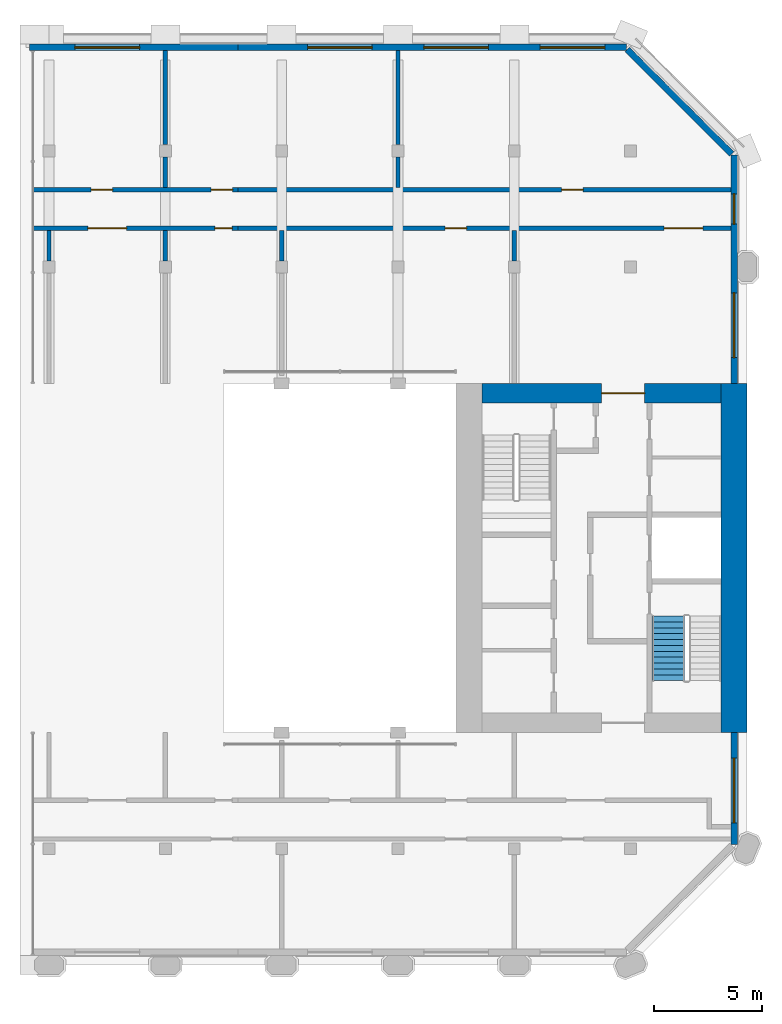
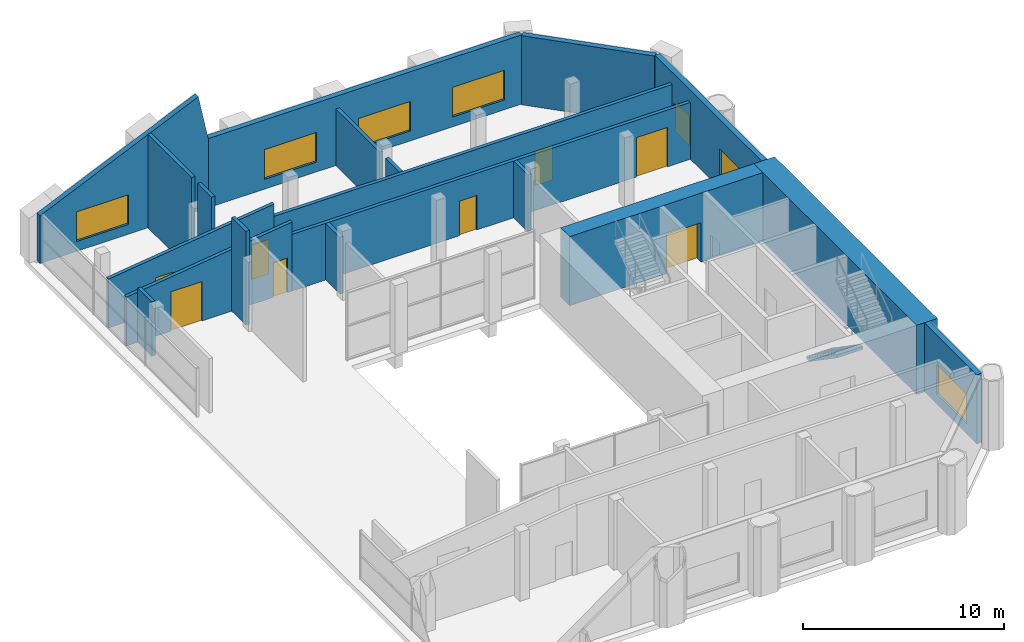
# One storey, part 6 of 9: 19 walls, 8 doors, 7 windows, 1 stair flight, 15 openings, 1 element without a shape of its own.
"""IFC4 building model written with IfcOpenShell, lengths in metres."""

from ifc_helpers import new_model, si_unit, direction, frame, frame_2d, origin, place, context, subcontext, project, spatial, polyline, rectangle, outline, extrude, material, layer, layer_set, type_object, element, fill, aggregate, save


model = new_model("IFC4")

# Units and contexts
model_context = context("Model", 3, precision=1e-05, world=origin(), true_north=direction((0.0, 1.0)))
body_context = subcontext(model_context, "Body", "Model", "MODEL_VIEW")
ifc_project = project(units=[si_unit("LENGTHUNIT", "METRE"), si_unit("AREAUNIT", "SQUARE_METRE"), si_unit("VOLUMEUNIT", "CUBIC_METRE"), si_unit("PLANEANGLEUNIT", "RADIAN"), si_unit("MASSUNIT", "GRAM", prefix="KILO")], contexts=[model_context])

# Site, building, storey
site_placement = place(None, origin())
site = spatial("IfcSite", under=ifc_project, at=site_placement, CompositionType="ELEMENT")
building_placement = place(site_placement, origin())
building = spatial("IfcBuilding", under=site, at=building_placement, Name="Tabaq Tower and Sports Hall", CompositionType="ELEMENT")
storey_placement = place(building_placement, frame((0.0, 0.0, 326.199951171875)))
storey = spatial("IfcBuildingStorey", under=building, at=storey_placement, Name="L81", CompositionType="ELEMENT", Elevation=326.199951171875)

# Wall
ifc_material_1 = material(Name="Concrete C40/50", Category="concrete")
ifc_layer_1 = layer(ifc_material_1, 1.199951171875)
ifc_layer_set_1 = layer_set([ifc_layer_1], Name="Core wall 1200 Concrete C40/50")
wall_type_1 = type_object("IfcWallType", Name="Core wall 1200 Concrete C40/50", PredefinedType="SOLIDWALL", material=ifc_layer_set_1)
wall_1_placement = place(storey_placement, frame((42.60009765625, 32.39990234375, 0.0), z_axis=(0.0, 0.0, 1.0), x_axis=(0.0, -1.0, 0.0)))
element("IfcWall", 1, at=wall_1_placement, inside=storey, type_object=wall_type_1, Name="Core wall E L81", PredefinedType="SOLIDWALL", context=body_context, shape_type="SweptSolid", body=[
    extrude(rectangle(XDim=16.199951171875, YDim=1.199951171875, at=frame_2d((8.10009765625, 0.0))), origin(), (0.0, 0.0, 1.0), 4.199951171875),
])

# Wall, opening, door
ifc_material_2 = material(Name="Concrete C40/50", Category="concrete")
ifc_layer_2 = layer(ifc_material_2, 0.89990234375)
ifc_layer_set_2 = layer_set([ifc_layer_2], Name="Core wall 900 Concrete C40/50")
wall_type_2 = type_object("IfcWallType", Name="Core wall 900 Concrete C40/50", PredefinedType="SOLIDWALL", material=ifc_layer_set_2)
wall_2_placement = place(storey_placement, frame((30.89990234375, 31.949951171875, 0.0), z_axis=(0.0, 0.0, 1.0), x_axis=(1.0, 0.0, 0.0)))
wall_2 = element("IfcWall", 2, at=wall_2_placement, inside=storey, type_object=wall_type_2, Name="Core wall E L81", PredefinedType="SOLIDWALL", context=body_context, shape_type="SweptSolid", body=[
    extrude(rectangle(XDim=11.10009765625, YDim=0.89990234375, at=frame_2d((5.550048828125, 0.0))), origin(), (0.0, 0.0, 1.0), 4.199951171875),
])
opening_1_placement = place(wall_2_placement, frame((5.550048828125, 0.0, 0.0)))
opening_1 = element("IfcOpeningElement", 3, at=opening_1_placement, cuts=wall_2, Name="Opening PD-EL81-02", PredefinedType="OPENING", context=body_context, shape_type="SweptSolid", body=[
    extrude(rectangle(XDim=2.0, YDim=2.39990234375, at=frame_2d((1.0, 1.199951171875))), frame((0.0, 0.449951171875, 0.0), z_axis=(0.0, -1.0, 0.0), x_axis=(1.0, 0.0, 0.0)), (0.0, 0.0, 1.0), 0.89990234375),
])
ifc_material_3 = material(Name="Steel fire door", Category="steel")
door_type_1 = type_object("IfcDoorType", Name="Core entrance door 2000", OperationType="DOUBLE_DOOR_SINGLE_SWING", PredefinedType="DOOR", material=ifc_material_3)
door_1_placement = place(opening_1_placement, origin())
door_1 = element("IfcDoor", 4, at=door_1_placement, inside=storey, type_object=door_type_1, Name="Core entrance north E L81", OperationType="DOUBLE_DOOR_SINGLE_SWING", OverallHeight=2.39990234375, OverallWidth=2.0, PredefinedType="DOOR", context=body_context, shape_type="SweptSolid", body=[
    extrude(rectangle(XDim=2.0, YDim=2.39990234375, at=frame_2d((1.0, 1.199951171875))), frame((0.0, 0.02490234375, 0.0), z_axis=(0.0, -1.0, 0.0), x_axis=(1.0, 0.0, 0.0)), (0.0, 0.0, 1.0), 0.050048828125),
])
fill(opening_1, door_1)

# Walls
ifc_material_4 = material(Name="Blockwork", Category="masonry")
ifc_layer_3 = layer(ifc_material_4, 0.199951171875)
ifc_layer_set_3 = layer_set([ifc_layer_3], Name="Fire compartment wall 200 Blockwork")
wall_type_3 = type_object("IfcWallType", Name="Fire compartment wall 200 Blockwork", PredefinedType="PARTITIONING", material=ifc_layer_set_3)
wall_3_placement = place(storey_placement, frame((27.0, 47.84912109375, 0.0), z_axis=(0.0, 0.0, 1.0), x_axis=(0.0, -1.0, 0.0)))
element("IfcWall", 5, at=wall_3_placement, inside=storey, type_object=wall_type_3, Name="Compartment wall L81", PredefinedType="PARTITIONING", context=body_context, shape_type="SweptSolid", body=[
    extrude(rectangle(XDim=4.35400390625, YDim=0.199951171875, at=frame_2d((2.177001953125, 0.0))), origin(), (0.0, 0.0, 1.0), 3.449951171875),
])
wall_4_placement = place(storey_placement, frame((27.0, 42.905029296875, 0.0), z_axis=(0.0, 0.0, 1.0), x_axis=(0.0, -1.0, 0.0)))
element("IfcWall", 6, at=wall_4_placement, inside=storey, type_object=wall_type_3, Name="Compartment wall L81", PredefinedType="PARTITIONING", context=body_context, shape_type="SweptSolid", body=[
    extrude(rectangle(XDim=1.405029296875, YDim=0.199951171875, at=frame_2d((0.70263671875, 0.0))), origin(), (0.0, 0.0, 1.0), 3.449951171875),
])
wall_5_placement = place(storey_placement, frame((16.199951171875, 47.84912109375, 0.0), z_axis=(0.0, 0.0, 1.0), x_axis=(0.0, -1.0, 0.0)))
element("IfcWall", 7, at=wall_5_placement, inside=storey, type_object=wall_type_3, Name="Compartment wall L81", PredefinedType="PARTITIONING", context=body_context, shape_type="SweptSolid", body=[
    extrude(rectangle(XDim=4.35400390625, YDim=0.199951171875, at=frame_2d((2.177001953125, 0.0))), origin(), (0.0, 0.0, 1.0), 5.699951171875),
])
wall_6_placement = place(storey_placement, frame((16.199951171875, 42.905029296875, 0.0), z_axis=(0.0, 0.0, 1.0), x_axis=(0.0, -1.0, 0.0)))
element("IfcWall", 8, at=wall_6_placement, inside=storey, type_object=wall_type_3, Name="Compartment wall L81", PredefinedType="PARTITIONING", context=body_context, shape_type="SweptSolid", body=[
    extrude(rectangle(XDim=1.405029296875, YDim=0.199951171875, at=frame_2d((0.70263671875, 0.0))), origin(), (0.0, 0.0, 1.0), 5.699951171875),
])

# Wall, openings, doors
wall_7_placement = place(storey_placement, frame((10.050048828125, 41.39990234375, 0.0), z_axis=(0.0, 0.0, 1.0), x_axis=(1.0, 0.0, 0.0)))
wall_7 = element("IfcWall", 9, at=wall_7_placement, inside=storey, type_object=wall_type_3, Name="Compartment wall L81", PredefinedType="PARTITIONING", context=body_context, shape_type="SweptSolid", body=[
    extrude(outline(polyline([(0.0, 0.0), (9.52490234375, 0.0), (9.52490234375, 4.199951171875), (0.0, 2.966796875), (0.0, 0.0)])), frame((0.0, 0.10009765625, 0.0), z_axis=(0.0, -1.0, 0.0), x_axis=(1.0, 0.0, 0.0)), (0.0, 0.0, 1.0), 0.199951171875),
])
opening_2_placement = place(wall_7_placement, frame((8.27490234375, 0.0, 0.0)))
opening_2 = element("IfcOpeningElement", 10, at=opening_2_placement, cuts=wall_7, Name="Opening L81-002", PredefinedType="OPENING", context=body_context, shape_type="SweptSolid", body=[
    extrude(rectangle(XDim=1.0, YDim=2.10009765625, at=frame_2d((0.5, 1.050048828125))), frame((0.0, 0.10009765625, 0.0), z_axis=(0.0, -1.0, 0.0), x_axis=(1.0, 0.0, 0.0)), (0.0, 0.0, 1.0), 0.199951171875),
])
opening_3_placement = place(wall_7_placement, frame((2.7041015625, 0.0, 0.0)))
opening_3 = element("IfcOpeningElement", 11, at=opening_3_placement, cuts=wall_7, Name="Opening L81-003", PredefinedType="OPENING", context=body_context, shape_type="SweptSolid", body=[
    extrude(rectangle(XDim=1.0, YDim=2.10009765625, at=frame_2d((0.5, 1.050048828125))), frame((0.0, 0.10009765625, 0.0), z_axis=(0.0, -1.0, 0.0), x_axis=(1.0, 0.0, 0.0)), (0.0, 0.0, 1.0), 0.199951171875),
])
ifc_material_5 = material(Name="Steel fire door", Category="steel")
door_type_2 = type_object("IfcDoorType", Name="Plant room door 1000 right hand", OperationType="SINGLE_SWING_RIGHT", PredefinedType="DOOR", material=ifc_material_5)
door_2_placement = place(opening_2_placement, origin())
door_2 = element("IfcDoor", 12, at=door_2_placement, inside=storey, type_object=door_type_2, Name="Plant room door L81-002", OperationType="SINGLE_SWING_RIGHT", OverallHeight=2.10009765625, OverallWidth=1.0, PredefinedType="DOOR", context=body_context, shape_type="SweptSolid", body=[
    extrude(rectangle(XDim=1.0, YDim=2.10009765625, at=frame_2d((0.5, 1.050048828125))), frame((0.0, 0.02490234375, 0.0), z_axis=(0.0, -1.0, 0.0), x_axis=(1.0, 0.0, 0.0)), (0.0, 0.0, 1.0), 0.050048828125),
])
fill(opening_2, door_2)
door_3_placement = place(opening_3_placement, origin())
door_3 = element("IfcDoor", 13, at=door_3_placement, inside=storey, type_object=door_type_2, Name="Plant room door L81-003", OperationType="SINGLE_SWING_RIGHT", OverallHeight=2.10009765625, OverallWidth=1.0, PredefinedType="DOOR", context=body_context, shape_type="SweptSolid", body=[
    extrude(rectangle(XDim=1.0, YDim=2.10009765625, at=frame_2d((0.5, 1.050048828125))), frame((0.0, 0.02490234375, 0.0), z_axis=(0.0, -1.0, 0.0), x_axis=(1.0, 0.0, 0.0)), (0.0, 0.0, 1.0), 0.050048828125),
])
fill(opening_3, door_3)

# Wall, opening, door
wall_8_placement = place(storey_placement, frame((19.574951171875, 41.39990234375, 0.0), z_axis=(0.0, 0.0, 1.0), x_axis=(1.0, 0.0, 0.0)))
wall_8 = element("IfcWall", 14, at=wall_8_placement, inside=storey, type_object=wall_type_3, Name="Compartment wall L81", PredefinedType="PARTITIONING", context=body_context, shape_type="SweptSolid", body=[
    extrude(rectangle(XDim=22.8740234375, YDim=0.199951171875, at=frame_2d((11.43701171875, 0.0))), origin(), (0.0, 0.0, 1.0), 3.449951171875),
])
opening_4_placement = place(wall_8_placement, frame((15.02490234375, 0.0, 0.0)))
opening_4 = element("IfcOpeningElement", 15, at=opening_4_placement, cuts=wall_8, Name="Opening L81-001", PredefinedType="OPENING", context=body_context, shape_type="SweptSolid", body=[
    extrude(rectangle(XDim=1.0, YDim=2.10009765625, at=frame_2d((0.5, 1.050048828125))), frame((0.0, 0.10009765625, 0.0), z_axis=(0.0, -1.0, 0.0), x_axis=(1.0, 0.0, 0.0)), (0.0, 0.0, 1.0), 0.199951171875),
])
ifc_material_6 = material(Name="Steel fire door", Category="steel")
door_type_3 = type_object("IfcDoorType", Name="Plant room door 1000 left hand", OperationType="SINGLE_SWING_LEFT", PredefinedType="DOOR", material=ifc_material_6)
door_4_placement = place(opening_4_placement, origin())
door_4 = element("IfcDoor", 16, at=door_4_placement, inside=storey, type_object=door_type_3, Name="Plant room door L81-001", OperationType="SINGLE_SWING_LEFT", OverallHeight=2.10009765625, OverallWidth=1.0, PredefinedType="DOOR", context=body_context, shape_type="SweptSolid", body=[
    extrude(rectangle(XDim=1.0, YDim=2.10009765625, at=frame_2d((0.5, 1.050048828125))), frame((0.0, 0.02490234375, 0.0), z_axis=(0.0, -1.0, 0.0), x_axis=(1.0, 0.0, 0.0)), (0.0, 0.0, 1.0), 0.050048828125),
])
fill(opening_4, door_4)

# Walls
for number, where, z_axis, x_axis, name in (
    (17, (32.39990234375, 38.094970703125, 0.0), (0.0, 0.0, 1.0), (0.0, 1.0, 0.0), "Compartment wall L81"),
    (18, (21.60009765625, 39.5, 0.0), (0.0, 0.0, 1.0), (0.0, -1.0, 0.0), "Compartment wall L81"),
):
    element("IfcWall", number, at=place(storey_placement, frame(where, z_axis=z_axis, x_axis=x_axis)), inside=storey, type_object=wall_type_3, Name=name, PredefinedType="PARTITIONING", context=body_context, shape_type="SweptSolid", body=[
        extrude(rectangle(XDim=1.405029296875, YDim=0.199951171875, at=frame_2d((0.70263671875, 0.0))), origin(), (0.0, 0.0, 1.0), 3.449951171875),
    ])
wall_9_placement = place(storey_placement, frame((16.199951171875, 39.5, 0.0), z_axis=(0.0, 0.0, 1.0), x_axis=(0.0, -1.0, 0.0)))
element("IfcWall", 19, at=wall_9_placement, inside=storey, type_object=wall_type_3, Name="Compartment wall L81", PredefinedType="PARTITIONING", context=body_context, shape_type="SweptSolid", body=[
    extrude(rectangle(XDim=1.405029296875, YDim=0.199951171875, at=frame_2d((0.70263671875, 0.0))), origin(), (0.0, 0.0, 1.0), 5.699951171875),
])
wall_10_placement = place(storey_placement, frame((10.800048828125, 39.5, 0.0), z_axis=(0.0, 0.0, 1.0), x_axis=(0.0, -1.0, 0.0)))
element("IfcWall", 20, at=wall_10_placement, inside=storey, type_object=wall_type_3, Name="Compartment wall L81", PredefinedType="PARTITIONING", context=body_context, shape_type="SweptSolid", body=[
    extrude(rectangle(XDim=1.405029296875, YDim=0.199951171875, at=frame_2d((0.70263671875, 0.0))), origin(), (0.0, 0.0, 1.0), 3.300048828125),
])

# Wall, openings, doors
wall_11_placement = place(storey_placement, frame((42.448974609375, 39.60009765625, 0.0), z_axis=(0.0, 0.0, 1.0), x_axis=(-1.0, 0.0, 0.0)))
wall_11 = element("IfcWall", 21, at=wall_11_placement, inside=storey, type_object=wall_type_3, Name="Compartment wall L81", PredefinedType="PARTITIONING", context=body_context, shape_type="SweptSolid", body=[
    extrude(rectangle(XDim=22.8740234375, YDim=0.199951171875, at=frame_2d((11.43701171875, 0.0))), origin(), (0.0, 0.0, 1.0), 3.449951171875),
])
opening_5_placement = place(wall_11_placement, frame((12.26611328125, 0.0, 0.0)))
opening_5 = element("IfcOpeningElement", 22, at=opening_5_placement, cuts=wall_11, Name="Opening L81-004", PredefinedType="OPENING", context=body_context, shape_type="SweptSolid", body=[
    extrude(rectangle(XDim=1.0, YDim=2.10009765625, at=frame_2d((0.5, 1.050048828125))), frame((0.0, 0.10009765625, 0.0), z_axis=(0.0, -1.0, 0.0), x_axis=(1.0, 0.0, 0.0)), (0.0, 0.0, 1.0), 0.199951171875),
])
opening_6_placement = place(wall_11_placement, frame((1.299072265625, 0.0, 0.0)))
opening_6 = element("IfcOpeningElement", 23, at=opening_6_placement, cuts=wall_11, Name="Opening L81-012", PredefinedType="OPENING", context=body_context, shape_type="SweptSolid", body=[
    extrude(rectangle(XDim=1.800048828125, YDim=2.39990234375, at=frame_2d((0.89990234375, 1.199951171875))), frame((0.0, 0.10009765625, 0.0), z_axis=(0.0, -1.0, 0.0), x_axis=(1.0, 0.0, 0.0)), (0.0, 0.0, 1.0), 0.199951171875),
])
door_5_placement = place(opening_5_placement, origin())
door_5 = element("IfcDoor", 24, at=door_5_placement, inside=storey, type_object=door_type_3, Name="Plant room door L81-004", OperationType="SINGLE_SWING_LEFT", OverallHeight=2.10009765625, OverallWidth=1.0, PredefinedType="DOOR", context=body_context, shape_type="SweptSolid", body=[
    extrude(rectangle(XDim=1.0, YDim=2.10009765625, at=frame_2d((0.5, 1.050048828125))), frame((0.0, 0.02490234375, 0.0), z_axis=(0.0, -1.0, 0.0), x_axis=(1.0, 0.0, 0.0)), (0.0, 0.0, 1.0), 0.050048828125),
])
fill(opening_5, door_5)
ifc_material_7 = material(Name="Steel fire door", Category="steel")
door_type_4 = type_object("IfcDoorType", Name="Plant room door 1800", OperationType="DOUBLE_DOOR_SINGLE_SWING", PredefinedType="DOOR", material=ifc_material_7)
door_6_placement = place(opening_6_placement, origin())
door_6 = element("IfcDoor", 25, at=door_6_placement, inside=storey, type_object=door_type_4, Name="Plant room door L81-012", OperationType="DOUBLE_DOOR_SINGLE_SWING", OverallHeight=2.39990234375, OverallWidth=1.800048828125, PredefinedType="DOOR", context=body_context, shape_type="SweptSolid", body=[
    extrude(rectangle(XDim=1.800048828125, YDim=2.39990234375, at=frame_2d((0.89990234375, 1.199951171875))), frame((0.0, 0.02490234375, 0.0), z_axis=(0.0, -1.0, 0.0), x_axis=(1.0, 0.0, 0.0)), (0.0, 0.0, 1.0), 0.050048828125),
])
fill(opening_6, door_6)

wall_12_placement = place(storey_placement, frame((19.574951171875, 39.60009765625, 0.0), z_axis=(0.0, 0.0, 1.0), x_axis=(-1.0, 0.0, 0.0)))
wall_12 = element("IfcWall", 26, at=wall_12_placement, inside=storey, type_object=wall_type_3, Name="Compartment wall L81", PredefinedType="PARTITIONING", context=body_context, shape_type="SweptSolid", body=[
    extrude(outline(polyline([(0.0, 0.0), (9.52490234375, 0.0), (9.52490234375, 2.966796875), (0.0, 4.199951171875), (0.0, 0.0)])), frame((0.0, 0.10009765625, 0.0), z_axis=(0.0, -1.0, 0.0), x_axis=(1.0, 0.0, 0.0)), (0.0, 0.0, 1.0), 0.199951171875),
])
opening_7_placement = place(wall_12_placement, frame((0.27490234375, 0.0, 0.0)))
opening_7 = element("IfcOpeningElement", 27, at=opening_7_placement, cuts=wall_12, Name="Opening L81-005", PredefinedType="OPENING", context=body_context, shape_type="SweptSolid", body=[
    extrude(rectangle(XDim=0.800048828125, YDim=2.10009765625, at=frame_2d((0.39990234375, 1.050048828125))), frame((0.0, 0.10009765625, 0.0), z_axis=(0.0, -1.0, 0.0), x_axis=(1.0, 0.0, 0.0)), (0.0, 0.0, 1.0), 0.199951171875),
])
opening_8_placement = place(wall_12_placement, frame((5.175048828125, 0.0, 0.0)))
opening_8 = element("IfcOpeningElement", 28, at=opening_8_placement, cuts=wall_12, Name="Opening L81-013", PredefinedType="OPENING", context=body_context, shape_type="SweptSolid", body=[
    extrude(rectangle(XDim=1.800048828125, YDim=2.39990234375, at=frame_2d((0.89990234375, 1.199951171875))), frame((0.0, 0.10009765625, 0.0), z_axis=(0.0, -1.0, 0.0), x_axis=(1.0, 0.0, 0.0)), (0.0, 0.0, 1.0), 0.199951171875),
])
door_7_placement = place(opening_8_placement, origin())
door_7 = element("IfcDoor", 29, at=door_7_placement, inside=storey, type_object=door_type_4, Name="Plant room door L81-013", OperationType="DOUBLE_DOOR_SINGLE_SWING", OverallHeight=2.39990234375, OverallWidth=1.800048828125, PredefinedType="DOOR", context=body_context, shape_type="SweptSolid", body=[
    extrude(rectangle(XDim=1.800048828125, YDim=2.39990234375, at=frame_2d((0.89990234375, 1.199951171875))), frame((0.0, 0.02490234375, 0.0), z_axis=(0.0, -1.0, 0.0), x_axis=(1.0, 0.0, 0.0)), (0.0, 0.0, 1.0), 0.050048828125),
])
fill(opening_8, door_7)
ifc_material_8 = material(Name="Steel fire door", Category="steel")
door_type_5 = type_object("IfcDoorType", Name="Riser door 800 right hand", OperationType="SINGLE_SWING_RIGHT", PredefinedType="DOOR", material=ifc_material_8)
door_8_placement = place(opening_7_placement, origin())
door_8 = element("IfcDoor", 30, at=door_8_placement, inside=storey, type_object=door_type_5, Name="Riser door L81-005", OperationType="SINGLE_SWING_RIGHT", OverallHeight=2.10009765625, OverallWidth=0.800048828125, PredefinedType="DOOR", context=body_context, shape_type="SweptSolid", body=[
    extrude(rectangle(XDim=0.800048828125, YDim=2.10009765625, at=frame_2d((0.39990234375, 1.050048828125))), frame((0.0, 0.02490234375, 0.0), z_axis=(0.0, -1.0, 0.0), x_axis=(1.0, 0.0, 0.0)), (0.0, 0.0, 1.0), 0.050048828125),
])
fill(opening_7, door_8)

# Wall, opening, window
ifc_material_9 = material(Name="White precast concrete C60/75", Category="concrete")
ifc_layer_4 = layer(ifc_material_9, 0.300048828125)
ifc_layer_set_4 = layer_set([ifc_layer_4], Name="White precast concrete C60/75 external wall 300")
wall_type_4 = type_object("IfcWallType", Name="White precast concrete C60/75 external wall 300", PredefinedType="SOLIDWALL", material=ifc_layer_set_4)
wall_13_placement = place(storey_placement, frame((42.60009765625, 10.986328125, 0.0), z_axis=(0.0, 0.0, 1.0), x_axis=(0.0, 1.0, 0.0)))
wall_13 = element("IfcWall", 31, at=wall_13_placement, inside=storey, type_object=wall_type_4, Name="External Wall L81 E", PredefinedType="SOLIDWALL", context=body_context, shape_type="SweptSolid", body=[
    extrude(outline(polyline([(0.0, 0.0), (5.213623046875, 0.0), (5.213623046875, 4.199951171875), (4.63427734375, 4.199951171875), (4.054931640625, 4.199951171875), (3.475830078125, 4.199951171875), (2.896484375, 4.199951171875), (2.317138671875, 4.199951171875), (1.73779296875, 4.199951171875), (1.15869140625, 4.199951171875), (0.579345703125, 4.199951171875), (0.0, 4.199951171875), (0.0, 0.0)])), frame((0.0, 0.14990234375, 0.0), z_axis=(0.0, -1.0, 0.0), x_axis=(1.0, 0.0, 0.0)), (0.0, 0.0, 1.0), 0.300048828125),
])
opening_9_placement = place(wall_13_placement, frame((1.013671875, 0.0, 0.60009765625)))
opening_9 = element("IfcOpeningElement", 32, at=opening_9_placement, cuts=wall_13, Name="Opening LV1", PredefinedType="OPENING", context=body_context, shape_type="SweptSolid", body=[
    extrude(rectangle(XDim=3.0, YDim=1.800048828125, at=frame_2d((1.5, 0.89990234375))), frame((0.0, 0.16015625, 0.0), z_axis=(0.0, -1.0, 0.0), x_axis=(1.0, 0.0, 0.0)), (0.0, 0.0, 1.0), 0.320068359375),
])
ifc_material_10 = material(Name="Aluminium alloy 6063-T6 louvre blades", Category="aluminium")
window_type_1 = type_object("IfcWindowType", Name="Plant louvre LV1", PartitioningType="SINGLE_PANEL", PredefinedType="WINDOW", material=ifc_material_10)
window_1_placement = place(opening_9_placement, origin())
window_1 = element("IfcWindow", 33, at=window_1_placement, inside=storey, type_object=window_type_1, Name="Plant louvre L81", OverallHeight=1.800048828125, OverallWidth=3.0, PartitioningType="SINGLE_PANEL", PredefinedType="WINDOW", context=body_context, shape_type="SweptSolid", body=[
    extrude(rectangle(XDim=3.0, YDim=1.800048828125, at=frame_2d((1.5, 0.89990234375))), frame((0.0, 0.030029296875, 0.0), z_axis=(0.0, -1.0, 0.0), x_axis=(1.0, 0.0, 0.0)), (0.0, 0.0, 1.0), 0.06005859375),
])
fill(opening_9, window_1)

# Wall, openings, windows
wall_14_placement = place(storey_placement, frame((42.60009765625, 32.39990234375, 0.0), z_axis=(0.0, 0.0, 1.0), x_axis=(0.0, 1.0, 0.0)))
wall_14 = element("IfcWall", 34, at=wall_14_placement, inside=storey, type_object=wall_type_4, Name="External Wall L81 E", PredefinedType="SOLIDWALL", context=body_context, shape_type="SweptSolid", body=[
    extrude(outline(polyline([(0.0, 0.0), (10.61376953125, 0.0), (10.613525390625, 4.199951171875), (10.02392578125, 4.199951171875), (9.434326171875, 4.199951171875), (8.8447265625, 4.199951171875), (8.255126953125, 4.199951171875), (7.665283203125, 4.199951171875), (7.07568359375, 4.199951171875), (6.486083984375, 4.199951171875), (5.896484375, 4.199951171875), (5.306884765625, 4.199951171875), (4.717041015625, 4.199951171875), (4.12744140625, 4.199951171875), (3.537841796875, 4.199951171875), (2.9482421875, 4.199951171875), (2.358642578125, 4.199951171875), (1.76904296875, 4.199951171875), (1.17919921875, 4.199951171875), (0.589599609375, 4.199951171875), (0.0, 4.199951171875), (0.0, 0.0)])), frame((0.0, 0.14990234375, 0.0), z_axis=(0.0, -1.0, 0.0), x_axis=(1.0, 0.0, 0.0)), (0.0, 0.0, 1.0), 0.300048828125),
])
opening_10_placement = place(wall_14_placement, frame((1.199951171875, 0.0, 0.60009765625)))
opening_10 = element("IfcOpeningElement", 35, at=opening_10_placement, cuts=wall_14, Name="Opening LV1", PredefinedType="OPENING", context=body_context, shape_type="SweptSolid", body=[
    extrude(rectangle(XDim=3.0, YDim=1.800048828125, at=frame_2d((1.5, 0.89990234375))), frame((0.0, 0.16015625, 0.0), z_axis=(0.0, -1.0, 0.0), x_axis=(1.0, 0.0, 0.0)), (0.0, 0.0, 1.0), 0.320068359375),
])
opening_11_placement = place(wall_14_placement, frame((7.396484375, 0.0, 0.60009765625)))
opening_11 = element("IfcOpeningElement", 36, at=opening_11_placement, cuts=wall_14, Name="Opening LV3", PredefinedType="OPENING", context=body_context, shape_type="SweptSolid", body=[
    extrude(rectangle(XDim=1.39990234375, YDim=1.800048828125, at=frame_2d((0.699951171875, 0.89990234375))), frame((0.0, 0.16015625, 0.0), z_axis=(0.0, -1.0, 0.0), x_axis=(1.0, 0.0, 0.0)), (0.0, 0.0, 1.0), 0.320068359375),
])
window_2_placement = place(opening_10_placement, origin())
window_2 = element("IfcWindow", 37, at=window_2_placement, inside=storey, type_object=window_type_1, Name="Plant louvre L81", OverallHeight=1.800048828125, OverallWidth=3.0, PartitioningType="SINGLE_PANEL", PredefinedType="WINDOW", context=body_context, shape_type="SweptSolid", body=[
    extrude(rectangle(XDim=3.0, YDim=1.800048828125, at=frame_2d((1.5, 0.89990234375))), frame((0.0, 0.030029296875, 0.0), z_axis=(0.0, -1.0, 0.0), x_axis=(1.0, 0.0, 0.0)), (0.0, 0.0, 1.0), 0.06005859375),
])
fill(opening_10, window_2)
ifc_material_11 = material(Name="Aluminium alloy 6063-T6 louvre blades", Category="aluminium")
window_type_2 = type_object("IfcWindowType", Name="Plant louvre LV3", PartitioningType="SINGLE_PANEL", PredefinedType="WINDOW", material=ifc_material_11)
window_3_placement = place(opening_11_placement, origin())
window_3 = element("IfcWindow", 38, at=window_3_placement, inside=storey, type_object=window_type_2, Name="Plant louvre L81", OverallHeight=1.800048828125, OverallWidth=1.39990234375, PartitioningType="SINGLE_PANEL", PredefinedType="WINDOW", context=body_context, shape_type="SweptSolid", body=[
    extrude(rectangle(XDim=1.39990234375, YDim=1.800048828125, at=frame_2d((0.699951171875, 0.89990234375))), frame((0.0, 0.030029296875, 0.0), z_axis=(0.0, -1.0, 0.0), x_axis=(1.0, 0.0, 0.0)), (0.0, 0.0, 1.0), 0.06005859375),
])
fill(opening_11, window_3)

# Wall
wall_15_placement = place(storey_placement, frame((42.5009765625, 43.050537109375, 0.0), z_axis=(0.0, 0.0, 1.0), x_axis=(-0.707106781187, 0.707106781187, 0.0)))
element("IfcWall", 39, at=wall_15_placement, inside=storey, type_object=wall_type_4, Name="External Wall L81 NE", PredefinedType="SOLIDWALL", context=body_context, shape_type="SweptSolid", body=[
    extrude(outline(polyline([(0.0, 0.0), (6.85986328125, 0.0), (6.859619140625, 4.199951171875), (6.2880859375, 4.199951171875), (5.71630859375, 4.199951171875), (5.144775390625, 4.199951171875), (4.5732421875, 4.199951171875), (4.00146484375, 4.199951171875), (3.429931640625, 4.199951171875), (2.858154296875, 4.199951171875), (2.28662109375, 4.199951171875), (1.71484375, 4.199951171875), (1.143310546875, 4.199951171875), (0.571533203125, 4.199951171875), (0.0, 4.199951171875), (0.0, 0.0)])), frame((0.0, 0.14990234375, 0.0), z_axis=(0.0, -1.0, 0.0), x_axis=(1.0, 0.0, 0.0)), (0.0, 0.0, 1.0), 0.300048828125),
])

# Wall, openings, windows
wall_16_placement = place(storey_placement, frame((37.613525390625, 48.0, 0.0), z_axis=(0.0, 0.0, 1.0), x_axis=(-1.0, 0.0, 0.0)))
wall_16 = element("IfcWall", 40, at=wall_16_placement, inside=storey, type_object=wall_type_4, Name="External Wall L81 N", PredefinedType="SOLIDWALL", context=body_context, shape_type="SweptSolid", body=[
    extrude(outline(polyline([(0.0, 0.0), (18.03857421875, 0.0), (18.03857421875, 4.199951171875), (17.456787109375, 4.199951171875), (16.874755859375, 4.199951171875), (16.29296875, 4.199951171875), (15.7109375, 4.199951171875), (15.129150390625, 4.199951171875), (14.54736328125, 4.199951171875), (13.96533203125, 4.199951171875), (13.383544921875, 4.199951171875), (12.801513671875, 4.199951171875), (12.2197265625, 4.199951171875), (11.6376953125, 4.199951171875), (11.055908203125, 4.199951171875), (10.47412109375, 4.199951171875), (9.89208984375, 4.199951171875), (9.310302734375, 4.199951171875), (8.728271484375, 4.199951171875), (8.146484375, 4.199951171875), (7.564697265625, 4.199951171875), (6.982666015625, 4.199951171875), (6.40087890625, 4.199951171875), (5.81884765625, 4.199951171875), (5.237060546875, 4.199951171875), (4.655029296875, 4.199951171875), (4.0732421875, 4.199951171875), (3.491455078125, 4.199951171875), (2.909423828125, 4.199951171875), (2.32763671875, 4.199951171875), (1.74560546875, 4.199951171875), (1.163818359375, 4.199951171875), (0.581787109375, 4.199951171875), (0.0, 4.199951171875), (0.0, 0.0)])), frame((0.0, 0.14990234375, 0.0), z_axis=(0.0, -1.0, 0.0), x_axis=(1.0, 0.0, 0.0)), (0.0, 0.0, 1.0), 0.300048828125),
])
opening_12_placement = place(wall_16_placement, frame((1.013671875, 0.0, 0.60009765625)))
opening_12 = element("IfcOpeningElement", 41, at=opening_12_placement, cuts=wall_16, Name="Opening LV1", PredefinedType="OPENING", context=body_context, shape_type="SweptSolid", body=[
    extrude(rectangle(XDim=3.0, YDim=1.800048828125, at=frame_2d((1.5, 0.89990234375))), frame((0.0, 0.16015625, 0.0), z_axis=(0.0, -1.0, 0.0), x_axis=(1.0, 0.0, 0.0)), (0.0, 0.0, 1.0), 0.320068359375),
])
opening_13_placement = place(wall_16_placement, frame((6.41357421875, 0.0, 0.60009765625)))
opening_13 = element("IfcOpeningElement", 42, at=opening_13_placement, cuts=wall_16, Name="Opening LV1", PredefinedType="OPENING", context=body_context, shape_type="SweptSolid", body=[
    extrude(rectangle(XDim=3.0, YDim=1.800048828125, at=frame_2d((1.5, 0.89990234375))), frame((0.0, 0.16015625, 0.0), z_axis=(0.0, -1.0, 0.0), x_axis=(1.0, 0.0, 0.0)), (0.0, 0.0, 1.0), 0.320068359375),
])
opening_14_placement = place(wall_16_placement, frame((11.813720703125, 0.0, 0.60009765625)))
opening_14 = element("IfcOpeningElement", 43, at=opening_14_placement, cuts=wall_16, Name="Opening LV1", PredefinedType="OPENING", context=body_context, shape_type="SweptSolid", body=[
    extrude(rectangle(XDim=3.0, YDim=1.800048828125, at=frame_2d((1.5, 0.89990234375))), frame((0.0, 0.16015625, 0.0), z_axis=(0.0, -1.0, 0.0), x_axis=(1.0, 0.0, 0.0)), (0.0, 0.0, 1.0), 0.320068359375),
])
window_4_placement = place(opening_12_placement, origin())
window_4 = element("IfcWindow", 44, at=window_4_placement, inside=storey, type_object=window_type_1, Name="Plant louvre L81", OverallHeight=1.800048828125, OverallWidth=3.0, PartitioningType="SINGLE_PANEL", PredefinedType="WINDOW", context=body_context, shape_type="SweptSolid", body=[
    extrude(rectangle(XDim=3.0, YDim=1.800048828125, at=frame_2d((1.5, 0.89990234375))), frame((0.0, 0.030029296875, 0.0), z_axis=(0.0, -1.0, 0.0), x_axis=(1.0, 0.0, 0.0)), (0.0, 0.0, 1.0), 0.06005859375),
])
fill(opening_12, window_4)
window_5_placement = place(opening_13_placement, origin())
window_5 = element("IfcWindow", 45, at=window_5_placement, inside=storey, type_object=window_type_1, Name="Plant louvre L81", OverallHeight=1.800048828125, OverallWidth=3.0, PartitioningType="SINGLE_PANEL", PredefinedType="WINDOW", context=body_context, shape_type="SweptSolid", body=[
    extrude(rectangle(XDim=3.0, YDim=1.800048828125, at=frame_2d((1.5, 0.89990234375))), frame((0.0, 0.030029296875, 0.0), z_axis=(0.0, -1.0, 0.0), x_axis=(1.0, 0.0, 0.0)), (0.0, 0.0, 1.0), 0.06005859375),
])
fill(opening_13, window_5)
window_6_placement = place(opening_14_placement, origin())
window_6 = element("IfcWindow", 46, at=window_6_placement, inside=storey, type_object=window_type_1, Name="Plant louvre L81", OverallHeight=1.800048828125, OverallWidth=3.0, PartitioningType="SINGLE_PANEL", PredefinedType="WINDOW", context=body_context, shape_type="SweptSolid", body=[
    extrude(rectangle(XDim=3.0, YDim=1.800048828125, at=frame_2d((1.5, 0.89990234375))), frame((0.0, 0.030029296875, 0.0), z_axis=(0.0, -1.0, 0.0), x_axis=(1.0, 0.0, 0.0)), (0.0, 0.0, 1.0), 0.06005859375),
])
fill(opening_14, window_6)

# Wall, opening, window
wall_17_placement = place(storey_placement, frame((19.574951171875, 48.0, 0.0), z_axis=(0.0, 0.0, 1.0), x_axis=(-1.0, 0.0, 0.0)))
wall_17 = element("IfcWall", 47, at=wall_17_placement, inside=storey, type_object=wall_type_4, Name="External Wall L81 N", PredefinedType="SOLIDWALL", context=body_context, shape_type="SweptSolid", body=[
    extrude(outline(polyline([(0.0, 0.0), (9.675048828125, 0.0), (9.675048828125, 2.900146484375), (9.10595703125, 3.153076171875), (8.536865234375, 3.406005859375), (7.967529296875, 3.658935546875), (7.3984375, 3.911865234375), (6.829345703125, 4.164794921875), (6.26025390625, 4.417724609375), (5.691162109375, 4.670654296875), (5.1220703125, 4.923583984375), (4.552978515625, 5.176513671875), (3.98388671875, 5.429443359375), (3.414794921875, 5.682373046875), (2.845703125, 5.935302734375), (2.2763671875, 6.188232421875), (1.707275390625, 6.441162109375), (1.13818359375, 6.694091796875), (0.569091796875, 6.947021484375), (0.0, 4.199951171875), (0.0, 0.0)])), frame((0.0, 0.14990234375, 0.0), z_axis=(0.0, -1.0, 0.0), x_axis=(1.0, 0.0, 0.0)), (0.0, 0.0, 1.0), 0.300048828125),
])
opening_15_placement = place(wall_17_placement, frame((4.574951171875, 0.0, 0.60009765625)))
opening_15 = element("IfcOpeningElement", 48, at=opening_15_placement, cuts=wall_17, Name="Opening LV1", PredefinedType="OPENING", context=body_context, shape_type="SweptSolid", body=[
    extrude(rectangle(XDim=3.0, YDim=1.800048828125, at=frame_2d((1.5, 0.89990234375))), frame((0.0, 0.16015625, 0.0), z_axis=(0.0, -1.0, 0.0), x_axis=(1.0, 0.0, 0.0)), (0.0, 0.0, 1.0), 0.320068359375),
])
window_7_placement = place(opening_15_placement, origin())
window_7 = element("IfcWindow", 49, at=window_7_placement, inside=storey, type_object=window_type_1, Name="Plant louvre L81", OverallHeight=1.800048828125, OverallWidth=3.0, PartitioningType="SINGLE_PANEL", PredefinedType="WINDOW", context=body_context, shape_type="SweptSolid", body=[
    extrude(rectangle(XDim=3.0, YDim=1.800048828125, at=frame_2d((1.5, 0.89990234375))), frame((0.0, 0.030029296875, 0.0), z_axis=(0.0, -1.0, 0.0), x_axis=(1.0, 0.0, 0.0)), (0.0, 0.0, 1.0), 0.06005859375),
])
fill(opening_15, window_7)

# Stair, stair flight
ifc_material_12 = material(Name="Concrete C40/50", Category="concrete")
stair_type = type_object("IfcStairType", Name="Exit stair", PredefinedType="HALF_TURN_STAIR", material=ifc_material_12)
stair_placement = place(storey_placement, origin())
stair = element("IfcStair", 50, at=stair_placement, inside=storey, type_object=stair_type, Name="L81 Exit stair ST3", PredefinedType="HALF_TURN_STAIR")
ifc_material_13 = material(Name="Concrete C40/50", Category="concrete")
stair_flight_type = type_object("IfcStairFlightType", Name="Exit stair flight", PredefinedType="STRAIGHT", material=ifc_material_13)
stair_flight_placement = place(storey_placement, frame((39.550048828125, 21.60009765625, 0.0), z_axis=(0.0, 0.0, 1.0), x_axis=(0.0, -1.0, 0.0)))
stair_flight = element("IfcStairFlight", 51, at=stair_flight_placement, type_object=stair_flight_type, Name="ST3 flight 1", NumberOfRisers=12, NumberOfTreads=11, PredefinedType="STRAIGHT", RiserHeight=0.1875, TreadLength=0.272727273, context=body_context, shape_type="SweptSolid", body=[
    extrude(outline(polyline([(0.0, 0.0), (0.0, 0.1875), (0.272705078125, 0.1875), (0.272705078125, 0.375), (0.54541015625, 0.375), (0.54541015625, 0.5625), (0.818115234375, 0.5625), (0.818115234375, 0.75), (1.0908203125, 0.75), (1.0908203125, 0.9375), (1.363525390625, 0.9375), (1.363525390625, 1.125), (1.636474609375, 1.125), (1.636474609375, 1.3125), (1.9091796875, 1.3125), (1.9091796875, 1.5), (2.181884765625, 1.5), (2.181884765625, 1.6875), (2.45458984375, 1.6875), (2.45458984375, 1.875), (2.727294921875, 1.875), (2.727294921875, 2.0625), (3.0, 2.0625), (3.0, 2.25), (3.0, 1.880615234375), (0.2646484375, 0.0), (0.0, 0.0)])), frame((0.0, 0.75, 0.0), z_axis=(0.0, -1.0, 0.0), x_axis=(1.0, 0.0, 0.0)), (0.0, 0.0, 1.0), 1.5),
])
aggregate(stair, [stair_flight])

save(model, "model.ifc")
